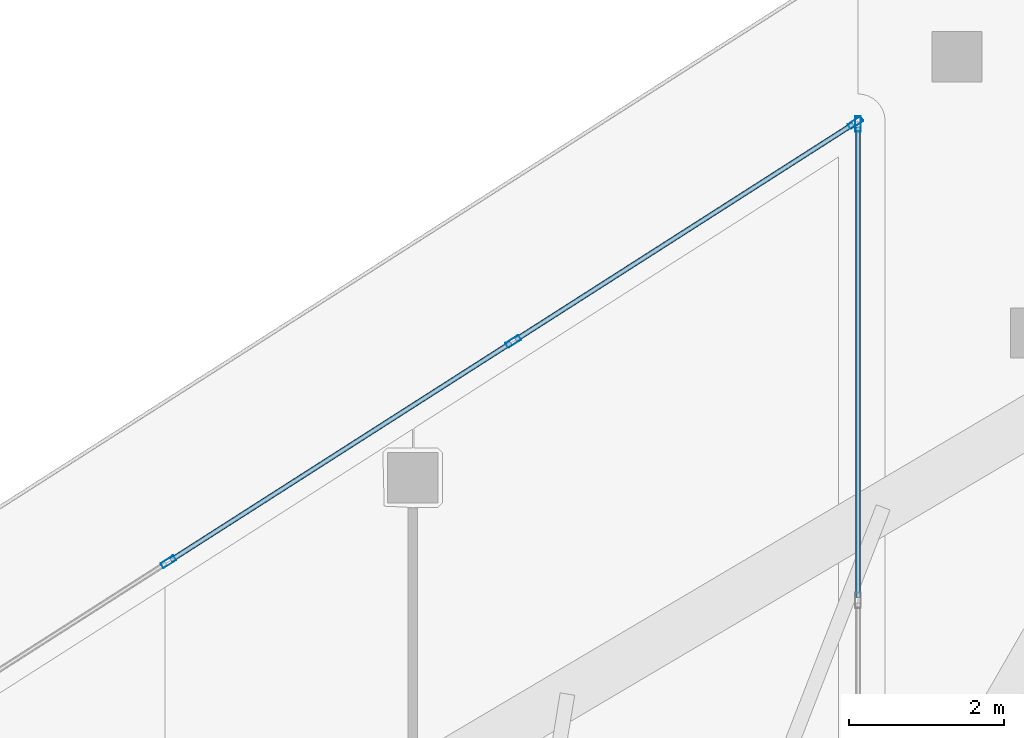
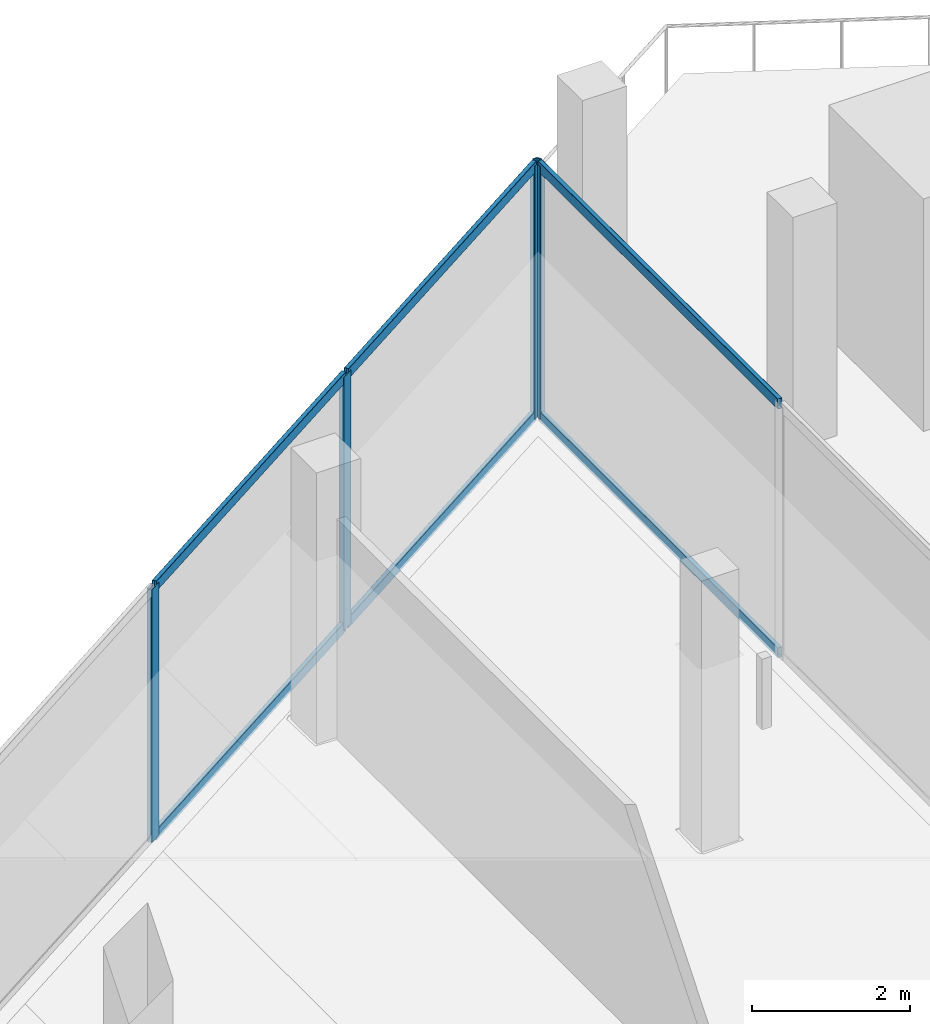
# One storey, part 20 of 44: 10 members, 2 elements without a shape of their own.
"""IFC4 building model written with IfcOpenShell, lengths in metres."""

import ifcopenshell
import ifcopenshell.guid

model = None  # the IFC model being written
_history = None  # IfcOwnerHistory: only IFC2X3 demands one
_inside = {}  # id of a spatial element -> (the spatial element, [elements in it])
_under = {}  # id of a project, library or spatial element -> (it, [spatial elements below it])
_declared = {}  # id of a project -> (the project, [libraries it declares])
_typed = {}  # id of a type object -> (the type object, [elements of that type])
_made_of = {}  # id of a material, layer set ... -> (it, [elements and type objects made of it])


def new_model(schema):
    """Start an empty IFC model of exactly this schema.

    Asked for "IFC4X3", IfcOpenShell would pick the latest addendum, in which some entities
    have other attributes; the version numbers below select the first issue.
    IFC2X3 requires an IfcOwnerHistory on every rooted entity: one is made here for all.
    """
    global model, _history
    if schema == "IFC4X3":
        model = ifcopenshell.file(schema_version=(4, 3, 0, 0))
    else:
        model = ifcopenshell.file(schema=schema)
    _inside.clear()
    _under.clear()
    _declared.clear()
    _typed.clear()
    _made_of.clear()
    _history = None
    if model.schema == "IFC2X3":
        org = make("IfcOrganization", Name="unknown")
        user = make(
            "IfcPersonAndOrganization",
            ThePerson=make("IfcPerson", FamilyName="unknown"),
            TheOrganization=org,
        )
        app = make(
            "IfcApplication",
            ApplicationDeveloper=org,
            Version="unknown",
            ApplicationFullName="unknown",
            ApplicationIdentifier="unknown",
        )
        _history = make(
            "IfcOwnerHistory",
            OwningUser=user,
            OwningApplication=app,
            ChangeAction="ADDED",
            CreationDate=0,
        )
    return model


def make(cls, **values):
    """One entity of the class cls with the attributes given. An attribute that is None is left unset."""
    return model.create_entity(
        cls, **{name: value for name, value in values.items() if value is not None}
    )


def rooted(cls, **values):
    """An entity with a GlobalId (a new one), such as an element, a storey or a relation."""
    return make(cls, GlobalId=ifcopenshell.guid.new(), OwnerHistory=_history, **values)


def si_unit(unit_type, name, prefix=None):
    """IfcSIUnit, for example si_unit("LENGTHUNIT", "METRE", prefix="MILLI")."""
    return make("IfcSIUnit", UnitType=unit_type, Prefix=prefix, Name=name)


def assignment(units):
    """IfcUnitAssignment: the units of a project."""
    return None if units is None else make("IfcUnitAssignment", Units=units)


def point(xyz):
    """IfcCartesianPoint."""
    return None if xyz is None else make("IfcCartesianPoint", Coordinates=xyz)


def direction(xyz):
    """IfcDirection."""
    return None if xyz is None else make("IfcDirection", DirectionRatios=xyz)


def frame(location, z_axis=None, x_axis=None):
    """IfcAxis2Placement3D, a coordinate frame: its origin and axes. An axis left out is left unset."""
    return make(
        "IfcAxis2Placement3D",
        Location=point(location),
        Axis=direction(z_axis),
        RefDirection=direction(x_axis),
    )


def frame_2d(location, x_axis=None):
    """IfcAxis2Placement2D, a coordinate frame in the plane: its origin and x axis."""
    return make(
        "IfcAxis2Placement2D", Location=point(location), RefDirection=direction(x_axis)
    )


def origin():
    """The frame at (0, 0, 0) with its axes left unset."""
    return frame((0.0, 0.0, 0.0))


def origin_2d():
    """The frame at (0, 0) in the plane with its x axis left unset."""
    return frame_2d((0.0, 0.0))


def place(relative_to, where):
    """IfcLocalPlacement: puts the frame where relative to a parent placement (None: the world)."""
    return make(
        "IfcLocalPlacement", PlacementRelTo=relative_to, RelativePlacement=where
    )


def context(
    kind, dimensions, precision=None, world=None, true_north=None, identifier=None
):
    """IfcGeometricRepresentationContext, for example the 3D "Model" context."""
    return make(
        "IfcGeometricRepresentationContext",
        ContextIdentifier=identifier,
        ContextType=kind,
        CoordinateSpaceDimension=dimensions,
        Precision=precision,
        WorldCoordinateSystem=world,
        TrueNorth=true_north,
    )


def subcontext(parent, identifier, kind, view, scale=None):
    """IfcGeometricRepresentationSubContext, for example "Body" below "Model"."""
    return make(
        "IfcGeometricRepresentationSubContext",
        ContextIdentifier=identifier,
        ContextType=kind,
        ParentContext=parent,
        TargetScale=scale,
        TargetView=view,
    )


def project(units=None, contexts=None):
    """IfcProject with its units and contexts."""
    return rooted(
        "IfcProject",
        Name="project",
        RepresentationContexts=contexts,
        UnitsInContext=assignment(units),
    )


def spatial(cls, under=None, at=None, **own):
    """A site, building, storey or space (cls), placed at a placement, below another one or the project."""
    s = rooted(cls, ObjectPlacement=at, **own)
    if under is not None:
        _under.setdefault(under.id(), (under, []))[1].append(s)
    return s


def profile(cls, at=None, kind="AREA", **sizes):
    """A parametric profile (cls). Its sizes go by their IFC names, for example OverallWidth=200.0."""
    return make(cls, ProfileType=kind, Position=at, **sizes)


def hollow_rectangle(**sizes):
    """IfcRectangleHollowProfileDef."""
    return profile("IfcRectangleHollowProfileDef", **sizes)


def extrude(swept, where, along, depth):
    """IfcExtrudedAreaSolid: the profile swept, set in the frame where, extruded along a direction by depth."""
    return make(
        "IfcExtrudedAreaSolid",
        SweptArea=swept,
        Position=where,
        ExtrudedDirection=direction(along),
        Depth=depth,
    )


def shape(context_of_items, identifier, shape_type, items):
    """IfcShapeRepresentation: the items that make up one representation, for example the "Body"."""
    return make(
        "IfcShapeRepresentation",
        ContextOfItems=context_of_items,
        RepresentationIdentifier=identifier,
        RepresentationType=shape_type,
        Items=items,
    )


def material(Name=None, Category=None):
    """IfcMaterial."""
    return make("IfcMaterial", Name=Name, Category=Category)


def layer(
    of_material, thickness, ventilated=None, Name=None, Category=None, Priority=None
):
    """IfcMaterialLayer: one layer of a wall or slab, of a material (None: an air gap)."""
    return make(
        "IfcMaterialLayer",
        Material=of_material,
        LayerThickness=thickness,
        IsVentilated=ventilated,
        Name=Name,
        Category=Category,
        Priority=Priority,
    )


def layer_set(layers, Name=None):
    """IfcMaterialLayerSet."""
    return make("IfcMaterialLayerSet", MaterialLayers=layers, LayerSetName=Name)


def material_profile(
    of_material, cross_section, Name=None, Category=None, Priority=None
):
    """IfcMaterialProfile: a cross section and its material."""
    return make(
        "IfcMaterialProfile",
        Name=Name,
        Material=of_material,
        Profile=cross_section,
        Priority=Priority,
        Category=Category,
    )


def profile_set(profiles, Name=None, composite=None):
    """IfcMaterialProfileSet."""
    return make(
        "IfcMaterialProfileSet",
        Name=Name,
        MaterialProfiles=profiles,
        CompositeProfile=composite,
    )


def made_of(thing, what):
    """Note that an element or type object is made of a material, layer set ...; save() writes the relation."""
    if what is not None:
        _made_of.setdefault(what.id(), (what, []))[1].append(thing)
    return thing


def type_object(cls, material=None, **own):
    """A type object (cls), such as IfcWallType, which elements share."""
    return made_of(rooted(cls, **own), material)


def element(
    cls,
    number,
    at=None,
    inside=None,
    cuts=None,
    type_object=None,
    material=None,
    context=None,
    identifier="Body",
    shape_type=None,
    held_by="IfcProductDefinitionShape",
    body=None,
    shapes=None,
    **own,
):
    """One element of the class cls, such as IfcWall. Its Tag is "e" and its number.

    at: its placement. inside: the storey or other place that contains it. cuts: it is an
    opening in that element (IfcRelVoidsElement). A single representation is given by context,
    identifier, shape_type and body (its items); several are given by shapes. held_by: the class
    of the entity that holds the representations. save() writes the other relations.
    """
    e = rooted(cls, Tag="e%d" % number, ObjectPlacement=at, **own)
    if body is not None:
        shapes = [shape(context, identifier, shape_type, body)]
    if shapes is not None:
        e.Representation = make(held_by, Representations=shapes)
    if inside is not None:
        _inside.setdefault(inside.id(), (inside, []))[1].append(e)
    if cuts is not None:
        rooted(
            "IfcRelVoidsElement", RelatingBuildingElement=cuts, RelatedOpeningElement=e
        )
    if type_object is not None:
        _typed.setdefault(type_object.id(), (type_object, []))[1].append(e)
    return made_of(e, material)


def aggregate(whole, parts):
    """IfcRelAggregates: a whole, such as a stair, and the parts it consists of."""
    return rooted("IfcRelAggregates", RelatingObject=whole, RelatedObjects=parts)


def save(model, path):
    """Write the relations noted so far, then the file.

    IfcRelAggregates (storeys below a building ...), IfcRelContainedInSpatialStructure (elements
    in a storey), IfcRelDefinesByType, IfcRelAssociatesMaterial and IfcRelDeclares: one each for
    every whole, place, type object, material and project.
    """
    for whole, parts in _under.values():
        aggregate(whole, parts)
    for where, things in _inside.values():
        rooted(
            "IfcRelContainedInSpatialStructure",
            RelatedElements=things,
            RelatingStructure=where,
        )
    for kind, things in _typed.values():
        rooted("IfcRelDefinesByType", RelatedObjects=things, RelatingType=kind)
    for what, things in _made_of.values():
        rooted("IfcRelAssociatesMaterial", RelatedObjects=things, RelatingMaterial=what)
    for by, libraries in _declared.values():
        rooted("IfcRelDeclares", RelatingContext=by, RelatedDefinitions=libraries)
    model.write(path)


model = new_model("IFC4")

# Units and contexts
model_context = context("Model", 3, precision=1e-05, world=origin(), true_north=direction((0.0, 1.0)))
body_context = subcontext(model_context, "Body", "Model", "MODEL_VIEW")
ifc_project = project(units=[si_unit("LENGTHUNIT", "METRE"), si_unit("AREAUNIT", "SQUARE_METRE"), si_unit("VOLUMEUNIT", "CUBIC_METRE"), si_unit("PLANEANGLEUNIT", "RADIAN"), si_unit("MASSUNIT", "GRAM", prefix="KILO")], contexts=[model_context])

# Site, building, storey
site_placement = place(None, origin())
site = spatial("IfcSite", under=ifc_project, at=site_placement, CompositionType="ELEMENT")
building_placement = place(site_placement, origin())
building = spatial("IfcBuilding", under=site, at=building_placement, Name="Qorvath Tower", CompositionType="ELEMENT")
storey_placement = place(building_placement, frame((0.0, 0.0, 78.60009765625)))
storey = spatial("IfcBuildingStorey", under=building, at=storey_placement, Name="L17", CompositionType="ELEMENT", Elevation=78.60009765625)

# Curtain wall, member
ifc_material_1 = material(Name="Anodised aluminium and triple low-E glass", Category="aluminium")
ifc_layer = layer(ifc_material_1, 0.179931640625)
ifc_layer_set = layer_set([ifc_layer], Name="CW-SYS-5")
curtain_wall_type = type_object("IfcCurtainWallType", Name="CW-SYS-5", PredefinedType="NOTDEFINED", material=ifc_layer_set)
curtain_wall_1_placement = place(storey_placement, origin())
curtain_wall_1 = element("IfcCurtainWall", 1, at=curtain_wall_1_placement, inside=storey, type_object=curtain_wall_type, Name="Curtain Wall CW-5 CW-T-L17-3.1", PredefinedType="NOTDEFINED")
ifc_material_2 = material(Name="Anodised aluminium 6063-T6", Category="aluminium")
ifc_material_profile_1 = material_profile(ifc_material_2, hollow_rectangle(XDim=0.074951171875, YDim=0.199951171875, WallThickness=0.00390625, InnerFilletRadius=0.00390625, OuterFilletRadius=0.008056640625, at=origin_2d()), Name="CWM 200x75")
ifc_profile_set_1 = profile_set([ifc_material_profile_1], Name="Anodised aluminium 6063-T6")
member_type_1 = type_object("IfcMemberType", Name="CWM-200", PredefinedType="MULLION", material=ifc_profile_set_1)
member_1_placement = place(storey_placement, frame((-19.280029296875, 29.632080078125, 0.0), z_axis=(0.0, 0.0, 1.0), x_axis=(-1.0, 0.0, 0.0)))
member_1 = element("IfcMember", 2, at=member_1_placement, type_object=member_type_1, Name="CW-5 mullion 3", PredefinedType="MULLION", context=body_context, shape_type="SweptSolid", body=[
    extrude(hollow_rectangle(XDim=0.074951171875, YDim=0.199951171875, WallThickness=0.00390625, InnerFilletRadius=0.00390625, OuterFilletRadius=0.008056640625, at=origin_2d()), origin(), (0.0, 0.0, 1.0), 3.919921875),
])

# Curtain wall, members
curtain_wall_2_placement = place(storey_placement, origin())
curtain_wall_2 = element("IfcCurtainWall", 3, at=curtain_wall_2_placement, inside=storey, type_object=curtain_wall_type, Name="Curtain Wall CW-5 CW-T-L17-4.1", PredefinedType="NOTDEFINED")
member_2_placement = place(storey_placement, frame((-19.3115234375, 29.6494140625, 0.0), z_axis=(0.0, 0.0, 1.0), x_axis=(0.538533373675, -0.842604180763, 0.0)))
member_2 = element("IfcMember", 4, at=member_2_placement, type_object=member_type_1, Name="CW-5 mullion 1", PredefinedType="MULLION", context=body_context, shape_type="SweptSolid", body=[
    extrude(hollow_rectangle(XDim=0.074951171875, YDim=0.199951171875, WallThickness=0.00390625, InnerFilletRadius=0.00390625, OuterFilletRadius=0.008056640625, at=origin_2d()), origin(), (0.0, 0.0, 1.0), 3.919921875),
])
member_3_placement = place(storey_placement, frame((-23.7373046875, 26.82080078125, 0.0), z_axis=(0.0, 0.0, 1.0), x_axis=(0.538533373675, -0.842604180763, 0.0)))
member_3 = element("IfcMember", 5, at=member_3_placement, type_object=member_type_1, Name="CW-5 mullion 2", PredefinedType="MULLION", context=body_context, shape_type="SweptSolid", body=[
    extrude(hollow_rectangle(XDim=0.074951171875, YDim=0.199951171875, WallThickness=0.00390625, InnerFilletRadius=0.00390625, OuterFilletRadius=0.008056640625, at=origin_2d()), origin(), (0.0, 0.0, 1.0), 3.919921875),
])
member_4_placement = place(storey_placement, frame((-28.194580078125, 23.97216796875, 0.0), z_axis=(0.0, 0.0, 1.0), x_axis=(0.538533373675, -0.842604180763, 0.0)))
member_4 = element("IfcMember", 6, at=member_4_placement, type_object=member_type_1, Name="CW-5 mullion 3", PredefinedType="MULLION", context=body_context, shape_type="SweptSolid", body=[
    extrude(hollow_rectangle(XDim=0.074951171875, YDim=0.199951171875, WallThickness=0.00390625, InnerFilletRadius=0.00390625, OuterFilletRadius=0.008056640625, at=origin_2d()), origin(), (0.0, 0.0, 1.0), 3.919921875),
])

# Member
ifc_material_3 = material(Name="Anodised aluminium 6063-T6", Category="aluminium")
ifc_material_profile_2 = material_profile(ifc_material_3, hollow_rectangle(XDim=0.06494140625, YDim=0.159912109375, WallThickness=0.00341796875, InnerFilletRadius=0.00341796875, OuterFilletRadius=0.007080078125, at=origin_2d()), Name="CWT 160x65")
ifc_profile_set_2 = profile_set([ifc_material_profile_2], Name="Anodised aluminium 6063-T6")
member_type_2 = type_object("IfcMemberType", Name="CWT-160", PredefinedType="USERDEFINED", material=ifc_profile_set_2)
member_5_placement = place(storey_placement, frame((-19.280029296875, 23.512451171875, 0.032470703125), z_axis=(0.0, 1.0, 0.0), x_axis=(-1.0, 0.0, 0.0)))
member_5 = element("IfcMember", 7, at=member_5_placement, type_object=member_type_2, Name="CW-5 transom 2.1", ObjectType="TRANSOM", PredefinedType="USERDEFINED", context=body_context, shape_type="SweptSolid", body=[
    extrude(hollow_rectangle(XDim=0.06494140625, YDim=0.159912109375, WallThickness=0.00341796875, InnerFilletRadius=0.00341796875, OuterFilletRadius=0.007080078125, at=origin_2d()), origin(), (0.0, 0.0, 1.0), 6.082275390625),
])

member_6_placement = place(storey_placement, frame((-19.280029296875, 23.512451171875, 3.887451171875), z_axis=(0.0, 1.0, 0.0), x_axis=(-1.0, 0.0, 0.0)))
member_6 = element("IfcMember", 8, at=member_6_placement, type_object=member_type_2, Name="CW-5 transom 2.2", ObjectType="TRANSOM", PredefinedType="USERDEFINED", context=body_context, shape_type="SweptSolid", body=[
    extrude(hollow_rectangle(XDim=0.06494140625, YDim=0.159912109375, WallThickness=0.00341796875, InnerFilletRadius=0.00341796875, OuterFilletRadius=0.007080078125, at=origin_2d()), origin(), (0.0, 0.0, 1.0), 6.082275390625),
])

aggregate(curtain_wall_1, [member_1, member_5, member_6])

member_7_placement = place(storey_placement, frame((-19.34326171875, 29.62939453125, 0.032470703125), z_axis=(-0.842595813472, -0.538546465144, 0.0), x_axis=(0.538546465144, -0.842595813472, 0.0)))
member_7 = element("IfcMember", 9, at=member_7_placement, type_object=member_type_2, Name="CW-5 transom 1.1", ObjectType="TRANSOM", PredefinedType="USERDEFINED", context=body_context, shape_type="SweptSolid", body=[
    extrude(hollow_rectangle(XDim=0.06494140625, YDim=0.159912109375, WallThickness=0.00341796875, InnerFilletRadius=0.00341796875, OuterFilletRadius=0.007080078125, at=origin_2d()), origin(), (0.0, 0.0, 1.0), 5.177490234375),
])

member_8_placement = place(storey_placement, frame((-19.34326171875, 29.62939453125, 3.887451171875), z_axis=(-0.842595813472, -0.538546465144, 0.0), x_axis=(0.538546465144, -0.842595813472, 0.0)))
member_8 = element("IfcMember", 10, at=member_8_placement, type_object=member_type_2, Name="CW-5 transom 1.2", ObjectType="TRANSOM", PredefinedType="USERDEFINED", context=body_context, shape_type="SweptSolid", body=[
    extrude(hollow_rectangle(XDim=0.06494140625, YDim=0.159912109375, WallThickness=0.00341796875, InnerFilletRadius=0.00341796875, OuterFilletRadius=0.007080078125, at=origin_2d()), origin(), (0.0, 0.0, 1.0), 5.177490234375),
])

member_9_placement = place(storey_placement, frame((-23.768798828125, 26.80078125, 0.032470703125), z_axis=(-0.842597719137, -0.538543483579, 0.0), x_axis=(0.538543483579, -0.842597719137, 0.0)))
member_9 = element("IfcMember", 11, at=member_9_placement, type_object=member_type_2, Name="CW-5 transom 2.1", ObjectType="TRANSOM", PredefinedType="USERDEFINED", context=body_context, shape_type="SweptSolid", body=[
    extrude(hollow_rectangle(XDim=0.06494140625, YDim=0.159912109375, WallThickness=0.00341796875, InnerFilletRadius=0.00341796875, OuterFilletRadius=0.007080078125, at=origin_2d()), origin(), (0.0, 0.0, 1.0), 5.215087890625),
])

member_10_placement = place(storey_placement, frame((-23.768798828125, 26.80078125, 3.887451171875), z_axis=(-0.842597719137, -0.538543483579, 0.0), x_axis=(0.538543483579, -0.842597719137, 0.0)))
member_10 = element("IfcMember", 12, at=member_10_placement, type_object=member_type_2, Name="CW-5 transom 2.2", ObjectType="TRANSOM", PredefinedType="USERDEFINED", context=body_context, shape_type="SweptSolid", body=[
    extrude(hollow_rectangle(XDim=0.06494140625, YDim=0.159912109375, WallThickness=0.00341796875, InnerFilletRadius=0.00341796875, OuterFilletRadius=0.007080078125, at=origin_2d()), origin(), (0.0, 0.0, 1.0), 5.215087890625),
])

aggregate(curtain_wall_2, [member_2, member_3, member_4, member_7, member_8, member_9, member_10])

save(model, "model.ifc")
